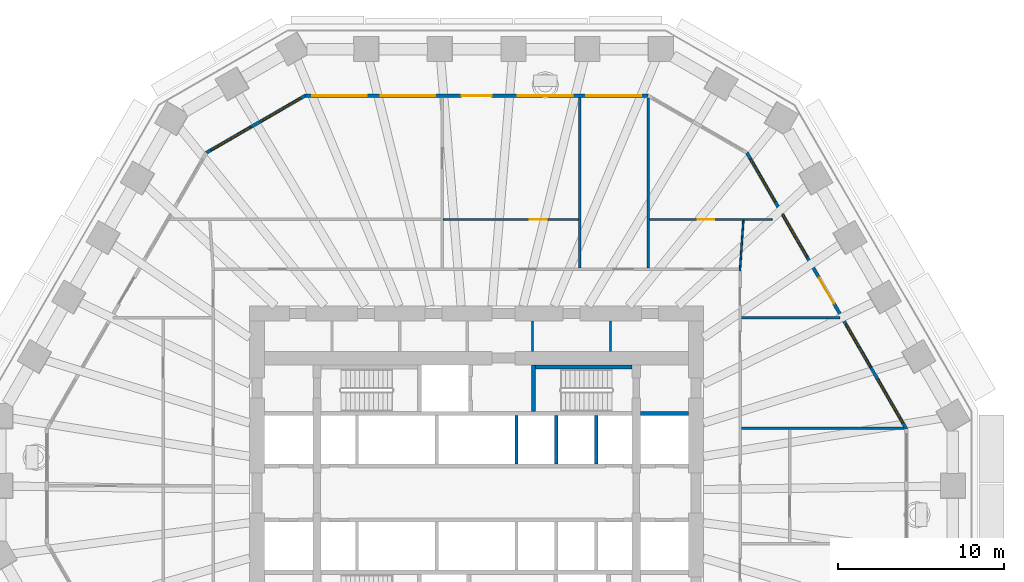
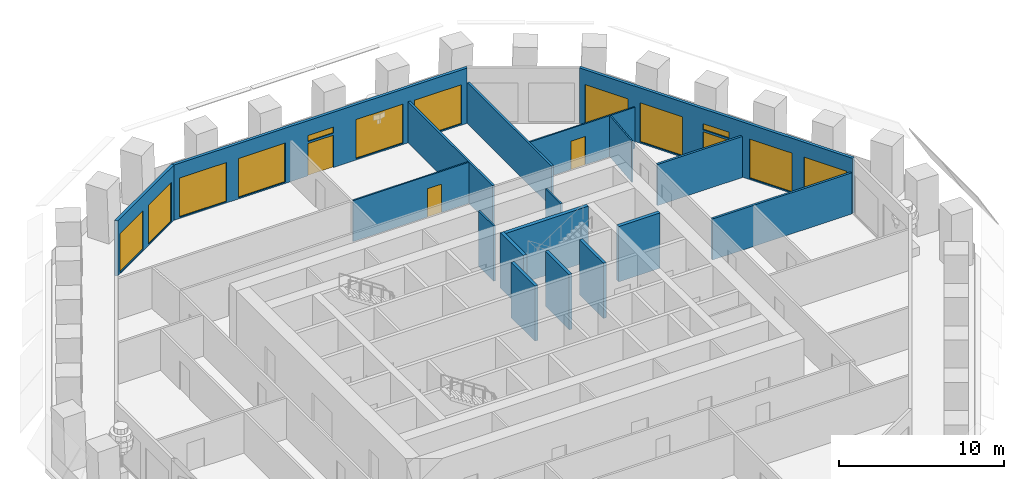
# One storey, part 8 of 13: 18 walls, 12 windows, 4 doors, 16 openings.
"""IFC4 building model written with IfcOpenShell, lengths in metres."""

from ifc_helpers import new_model, si_unit, direction, frame, frame_2d, origin, place, context, subcontext, project, spatial, polyline, rectangle, outline, extrude, material, layer, layer_set, type_object, element, fill, save


model = new_model("IFC4")

# Units and contexts
model_context = context("Model", 3, precision=1e-05, world=origin(), true_north=direction((0.0, 1.0)))
body_context = subcontext(model_context, "Body", "Model", "MODEL_VIEW")
ifc_project = project(units=[si_unit("LENGTHUNIT", "METRE"), si_unit("AREAUNIT", "SQUARE_METRE"), si_unit("VOLUMEUNIT", "CUBIC_METRE"), si_unit("PLANEANGLEUNIT", "RADIAN"), si_unit("MASSUNIT", "GRAM", prefix="KILO")], contexts=[model_context])

# Site, building, storey
site_placement = place(None, origin())
site = spatial("IfcSite", under=ifc_project, at=site_placement, CompositionType="ELEMENT")
building_placement = place(site_placement, origin())
building = spatial("IfcBuilding", under=site, at=building_placement, Name="Frailejon Research Tower", CompositionType="ELEMENT")
storey_placement = place(building_placement, frame((0.0, 0.0, 27.800048828125)))
storey = spatial("IfcBuildingStorey", under=building, at=storey_placement, Name="L06", CompositionType="ELEMENT", Elevation=27.800048828125)

# Walls
ifc_material_1 = material(Name="Plasterboard on steel studs", Category="steel")
ifc_layer_1 = layer(ifc_material_1, 0.125)
ifc_layer_set_1 = layer_set([ifc_layer_1], Name="Core partition 125")
wall_type_1 = type_object("IfcWallType", Name="Core partition 125", PredefinedType="PARTITIONING", material=ifc_layer_set_1)
for number, where, z_axis, x_axis, name in (
    (1, (3.362548828125, 8.5, 0.0), (0.0, 0.0, 1.0), (0.0, 1.0, 0.0), "Core partition"),
    (2, (8.05615234375, 8.5, 0.0), (0.0, 0.0, 1.0), (0.0, 1.0, 0.0), "Core partition"),
):
    element("IfcWall", number, at=place(storey_placement, frame(where, z_axis=z_axis, x_axis=x_axis)), inside=storey, type_object=wall_type_1, Name=name, PredefinedType="PARTITIONING", context=body_context, shape_type="SweptSolid", body=[
        extrude(rectangle(XDim=1.85009765625, YDim=0.125, at=frame_2d((0.925048828125, 0.0))), origin(), (0.0, 0.0, 1.0), 4.099853515625),
    ])
ifc_material_2 = material(Name="Gypsum board and masonry partition", Category="masonry")
ifc_layer_2 = layer(ifc_material_2, 0.14990234375)
ifc_layer_set_2 = layer_set([ifc_layer_2], Name="Laboratory partition, blockwork 150")
wall_type_2 = type_object("IfcWallType", Name="Laboratory partition, blockwork 150", PredefinedType="PARTITIONING", material=ifc_layer_set_2)
wall_1_placement = place(storey_placement, frame((15.925048828125, 3.87890625, 0.0), z_axis=(0.0, 0.0, 1.0), x_axis=(1.0, 0.0, 0.0)))
element("IfcWall", 3, at=wall_1_placement, inside=storey, type_object=wall_type_2, Name="T:IW:L06:006", PredefinedType="PARTITIONING", context=body_context, shape_type="SweptSolid", body=[
    extrude(rectangle(XDim=9.79638671875, YDim=0.14990234375, at=frame_2d((4.898193359375, 0.0))), origin(), (0.0, 0.0, 1.0), 3.050048828125),
])
wall_2_placement = place(storey_placement, frame((15.925048828125, 10.541748046875, 0.0), z_axis=(0.0, 0.0, 1.0), x_axis=(1.0, 0.0, 0.0)))
element("IfcWall", 4, at=wall_2_placement, inside=storey, type_object=wall_type_2, Name="T:IW:L06:009", PredefinedType="PARTITIONING", context=body_context, shape_type="SweptSolid", body=[
    extrude(rectangle(XDim=5.949462890625, YDim=0.14990234375, at=frame_2d((2.974609375, 0.0))), origin(), (0.0, 0.0, 1.0), 3.050048828125),
])
wall_3_placement = place(storey_placement, frame((10.33544921875, 13.52490234375, 0.0), z_axis=(0.0, 0.0, 1.0), x_axis=(0.0, 1.0, 0.0)))
element("IfcWall", 5, at=wall_3_placement, inside=storey, type_object=wall_type_2, Name="T:IW:L06:010", PredefinedType="PARTITIONING", context=body_context, shape_type="SweptSolid", body=[
    extrude(rectangle(XDim=10.244140625, YDim=0.14990234375, at=frame_2d((5.1220703125, 0.0))), origin(), (0.0, 0.0, 1.0), 3.050048828125),
])
wall_4_placement = place(storey_placement, frame((6.201171875, 13.52490234375, 0.0), z_axis=(0.0, 0.0, 1.0), x_axis=(0.0, 1.0, 0.0)))
element("IfcWall", 6, at=wall_4_placement, inside=storey, type_object=wall_type_2, Name="T:IW:L06:011", PredefinedType="PARTITIONING", context=body_context, shape_type="SweptSolid", body=[
    extrude(rectangle(XDim=10.275146484375, YDim=0.14990234375, at=frame_2d((5.1376953125, 0.0))), origin(), (0.0, 0.0, 1.0), 3.050048828125),
])
ifc_material_3 = material(Name="Gypsum board and masonry partition", Category="masonry")
ifc_layer_3 = layer(ifc_material_3, 0.10009765625)
ifc_layer_set_3 = layer_set([ifc_layer_3], Name="Partition, gypsum on steel studs 100")
wall_type_3 = type_object("IfcWallType", Name="Partition, gypsum on steel studs 100", PredefinedType="PARTITIONING", material=ifc_layer_set_3)
wall_5_placement = place(storey_placement, frame((15.844970703125, 13.375244140625, 0.0), z_axis=(0.0, 0.0, 1.0), x_axis=(0.068282549435, 0.997666022997, 0.0)))
element("IfcWall", 7, at=wall_5_placement, inside=storey, type_object=wall_type_3, Name="T:IW:L06:025", PredefinedType="PARTITIONING", context=body_context, shape_type="SweptSolid", body=[
    extrude(rectangle(XDim=3.031982421875, YDim=0.10009765625, at=frame_2d((1.51611328125, 0.0))), origin(), (0.0, 0.0, 1.0), 3.050048828125),
])

# Wall, opening, door
wall_6_placement = place(storey_placement, frame((-1.9921875, 16.449951171875, 0.0), z_axis=(0.0, 0.0, 1.0), x_axis=(1.0, 0.0, 0.0)))
wall_6 = element("IfcWall", 8, at=wall_6_placement, inside=storey, type_object=wall_type_3, Name="T:IW:L06:026", PredefinedType="PARTITIONING", context=body_context, shape_type="SweptSolid", body=[
    extrude(rectangle(XDim=8.118408203125, YDim=0.10009765625, at=frame_2d((4.05908203125, 0.0))), origin(), (0.0, 0.0, 1.0), 3.050048828125),
])
opening_1_placement = place(wall_6_placement, frame((5.201171875, 0.0, 0.0)))
opening_1 = element("IfcOpeningElement", 9, at=opening_1_placement, cuts=wall_6, Name="Opening D1301", PredefinedType="OPENING", context=body_context, shape_type="SweptSolid", body=[
    extrude(rectangle(XDim=1.0, YDim=2.10009765625, at=frame_2d((0.5, 1.050048828125))), frame((0.0, 0.06005859375, 0.0), z_axis=(0.0, -1.0, 0.0), x_axis=(1.0, 0.0, 0.0)), (0.0, 0.0, 1.0), 0.1201171875),
])
ifc_material_4 = material(Name="Timber door leaf", Category="wood")
door_type_1 = type_object("IfcDoorType", Name="Door single leaf, timber, steel frame 1000", OperationType="NOTDEFINED", PredefinedType="DOOR", material=ifc_material_4)
door_1_placement = place(opening_1_placement, origin())
door_1 = element("IfcDoor", 10, at=door_1_placement, inside=storey, type_object=door_type_1, Name="D1301", OperationType="SINGLE_SWING_LEFT", OverallHeight=2.10009765625, OverallWidth=1.0, PredefinedType="DOOR", context=body_context, shape_type="SweptSolid", body=[
    extrude(rectangle(XDim=1.0, YDim=2.10009765625, at=frame_2d((0.5, 1.050048828125))), frame((0.0, 0.02490234375, 0.0), z_axis=(0.0, -1.0, 0.0), x_axis=(1.0, 0.0, 0.0)), (0.0, 0.0, 1.0), 0.050048828125),
])
fill(opening_1, door_1)

wall_7_placement = place(storey_placement, frame((10.410400390625, 16.449951171875, 0.0), z_axis=(0.0, 0.0, 1.0), x_axis=(1.0, 0.0, 0.0)))
wall_7 = element("IfcWall", 11, at=wall_7_placement, inside=storey, type_object=wall_type_3, Name="T:IW:L06:027", PredefinedType="PARTITIONING", context=body_context, shape_type="SweptSolid", body=[
    extrude(rectangle(XDim=7.3642578125, YDim=0.10009765625, at=frame_2d((3.68212890625, 0.0))), origin(), (0.0, 0.0, 1.0), 3.050048828125),
])
opening_2_placement = place(wall_7_placement, frame((2.88818359375, 0.0, 0.0)))
opening_2 = element("IfcOpeningElement", 12, at=opening_2_placement, cuts=wall_7, Name="Opening D1298", PredefinedType="OPENING", context=body_context, shape_type="SweptSolid", body=[
    extrude(rectangle(XDim=1.0, YDim=2.10009765625, at=frame_2d((0.5, 1.050048828125))), frame((0.0, 0.06005859375, 0.0), z_axis=(0.0, -1.0, 0.0), x_axis=(1.0, 0.0, 0.0)), (0.0, 0.0, 1.0), 0.1201171875),
])
door_2_placement = place(opening_2_placement, origin())
door_2 = element("IfcDoor", 13, at=door_2_placement, inside=storey, type_object=door_type_1, Name="D1298", OperationType="SINGLE_SWING_RIGHT", OverallHeight=2.10009765625, OverallWidth=1.0, PredefinedType="DOOR", context=body_context, shape_type="SweptSolid", body=[
    extrude(rectangle(XDim=1.0, YDim=2.10009765625, at=frame_2d((0.5, 1.050048828125))), frame((0.0, 0.02490234375, 0.0), z_axis=(0.0, -1.0, 0.0), x_axis=(1.0, 0.0, 0.0)), (0.0, 0.0, 1.0), 0.050048828125),
])
fill(opening_2, door_2)

# Walls
ifc_material_5 = material(Name="Concrete C70/85", Category="concrete")
ifc_layer_4 = layer(ifc_material_5, 0.199951171875)
ifc_layer_set_4 = layer_set([ifc_layer_4], Name="Shaft wall 200 C70/85")
wall_type_4 = type_object("IfcWallType", Name="Shaft wall 200 C70/85", PredefinedType="SOLIDWALL", material=ifc_layer_set_4)
for number, where, z_axis, x_axis, name in (
    (14, (2.39990234375, 1.75, 0.0), (0.0, 0.0, 1.0), (0.0, 1.0, 0.0), "Shaft wall"),
    (15, (4.800048828125, 1.75, 0.0), (0.0, 0.0, 1.0), (0.0, 1.0, 0.0), "Shaft wall"),
    (16, (7.199951171875, 1.75, 0.0), (0.0, 0.0, 1.0), (0.0, 1.0, 0.0), "Shaft wall"),
):
    element("IfcWall", number, at=place(storey_placement, frame(where, z_axis=z_axis, x_axis=x_axis)), inside=storey, type_object=wall_type_4, Name=name, PredefinedType="SOLIDWALL", context=body_context, shape_type="SweptSolid", body=[
        extrude(rectangle(XDim=2.89990234375, YDim=0.199951171875, at=frame_2d((1.449951171875, 0.0))), origin(), (0.0, 0.0, 1.0), 4.099853515625),
    ])
ifc_material_6 = material(Name="Concrete C70/85", Category="concrete")
ifc_layer_5 = layer(ifc_material_6, 0.25)
ifc_layer_set_5 = layer_set([ifc_layer_5], Name="Shaft wall 250 C70/85")
wall_type_5 = type_object("IfcWallType", Name="Shaft wall 250 C70/85", PredefinedType="SOLIDWALL", material=ifc_layer_set_5)
wall_8_placement = place(storey_placement, frame((9.85009765625, 4.77490234375, 0.0), z_axis=(0.0, 0.0, 1.0), x_axis=(1.0, 0.0, 0.0)))
element("IfcWall", 17, at=wall_8_placement, inside=storey, type_object=wall_type_5, Name="Shaft wall", PredefinedType="SOLIDWALL", context=body_context, shape_type="SweptSolid", body=[
    extrude(rectangle(XDim=2.89990234375, YDim=0.25, at=frame_2d((1.449951171875, 0.0))), origin(), (0.0, 0.0, 1.0), 4.099853515625),
])
wall_9_placement = place(storey_placement, frame((3.550048828125, 7.574951171875, 0.0), z_axis=(0.0, 0.0, 1.0), x_axis=(1.0, 0.0, 0.0)))
element("IfcWall", 18, at=wall_9_placement, inside=storey, type_object=wall_type_5, Name="Shaft wall", PredefinedType="SOLIDWALL", context=body_context, shape_type="SweptSolid", body=[
    extrude(rectangle(XDim=5.800048828125, YDim=0.25, at=frame_2d((2.89990234375, 0.0))), origin(), (0.0, 0.0, 1.0), 4.099853515625),
])
wall_10_placement = place(storey_placement, frame((3.425048828125, 4.89990234375, 0.0), z_axis=(0.0, 0.0, 1.0), x_axis=(0.0, 1.0, 0.0)))
element("IfcWall", 19, at=wall_10_placement, inside=storey, type_object=wall_type_5, Name="Shaft wall", PredefinedType="SOLIDWALL", context=body_context, shape_type="SweptSolid", body=[
    extrude(rectangle(XDim=2.800048828125, YDim=0.25, at=frame_2d((1.39990234375, 0.0))), origin(), (0.0, 0.0, 1.0), 4.099853515625),
])

# Wall, openings, door, windows
ifc_material_7 = material(Name="Concrete C40/50 precast window wall panel", Category="concrete")
ifc_layer_6 = layer(ifc_material_7, 0.199951171875)
ifc_layer_set_6 = layer_set([ifc_layer_6], Name="Window wall 200")
wall_type_6 = type_object("IfcWallType", Name="Window wall 200", PredefinedType="SOLIDWALL", material=ifc_layer_set_6)
wall_11_placement = place(storey_placement, frame((25.852294921875, 3.85205078125, 0.0), z_axis=(0.0, 0.0, 1.0), x_axis=(-0.499998279088, 0.866026397351, 0.0)))
wall_11 = element("IfcWall", 20, at=wall_11_placement, inside=storey, type_object=wall_type_6, Name="Exterior wall L06", PredefinedType="SOLIDWALL", context=body_context, shape_type="SweptSolid", body=[
    extrude(outline(polyline([(-0.02685546875, -0.10009765625), (0.9853515625, -0.10009765625), (1.997802734375, -0.10009765625), (3.010009765625, -0.10009765625), (4.0224609375, -0.10009765625), (5.03466796875, -0.10009765625), (6.047119140625, -0.10009765625), (7.059326171875, -0.10009765625), (8.071533203125, -0.10009765625), (9.083984375, -0.10009765625), (10.09619140625, -0.10009765625), (11.108642578125, -0.10009765625), (12.120849609375, -0.10009765625), (13.133056640625, -0.10009765625), (14.1455078125, -0.10009765625), (15.15771484375, -0.10009765625), (16.170166015625, -0.10009765625), (17.182373046875, -0.10009765625), (18.19482421875, -0.10009765625), (19.20703125, -0.10009765625), (19.1533203125, 0.10009765625), (18.146728515625, 0.10009765625), (17.139892578125, 0.10009765625), (16.13330078125, 0.10009765625), (15.126708984375, 0.10009765625), (14.1201171875, 0.10009765625), (13.11328125, 0.10009765625), (12.106689453125, 0.10009765625), (11.10009765625, 0.10009765625), (10.093505859375, 0.10009765625), (9.086669921875, 0.10009765625), (8.080078125, 0.10009765625), (7.073486328125, 0.10009765625), (6.06689453125, 0.10009765625), (5.06005859375, 0.10009765625), (4.053466796875, 0.10009765625), (3.046875, 0.10009765625), (2.040283203125, 0.10009765625), (1.033447265625, 0.10009765625), (0.02685546875, 0.10009765625), (-0.02685546875, -0.10009765625)])), origin(), (0.0, 0.0, 1.0), 4.099853515625),
])
opening_3_placement = place(wall_11_placement, frame((0.41796875, 0.0, 0.10009765625)))
opening_3 = element("IfcOpeningElement", 21, at=opening_3_placement, cuts=wall_11, Name="Opening W4", PredefinedType="OPENING", context=body_context, shape_type="SweptSolid", body=[
    extrude(rectangle(XDim=3.0, YDim=2.89990234375, at=frame_2d((1.5, 1.449951171875))), frame((0.0, 0.10986328125, 0.0), z_axis=(0.0, -1.0, 0.0), x_axis=(1.0, 0.0, 0.0)), (0.0, 0.0, 1.0), 0.219970703125),
])
opening_4_placement = place(wall_11_placement, frame((4.254150390625, 0.0, 0.10009765625)))
opening_4 = element("IfcOpeningElement", 22, at=opening_4_placement, cuts=wall_11, Name="Opening W4", PredefinedType="OPENING", context=body_context, shape_type="SweptSolid", body=[
    extrude(rectangle(XDim=3.0, YDim=2.89990234375, at=frame_2d((1.5, 1.449951171875))), frame((0.0, 0.10986328125, 0.0), z_axis=(0.0, -1.0, 0.0), x_axis=(1.0, 0.0, 0.0)), (0.0, 0.0, 1.0), 0.219970703125),
])
opening_5_placement = place(wall_11_placement, frame((8.690185546875, 0.0, 0.0)))
opening_5 = element("IfcOpeningElement", 23, at=opening_5_placement, cuts=wall_11, Name="Opening LG06-1", PredefinedType="OPENING", context=body_context, shape_type="SweptSolid", body=[
    extrude(rectangle(XDim=1.800048828125, YDim=2.39990234375, at=frame_2d((0.89990234375, 1.199951171875))), frame((0.0, 0.10986328125, 0.0), z_axis=(0.0, -1.0, 0.0), x_axis=(1.0, 0.0, 0.0)), (0.0, 0.0, 1.0), 0.219970703125),
])
opening_6_placement = place(wall_11_placement, frame((8.690185546875, 0.0, 2.550048828125)))
opening_6 = element("IfcOpeningElement", 24, at=opening_6_placement, cuts=wall_11, Name="Opening W1", PredefinedType="OPENING", context=body_context, shape_type="SweptSolid", body=[
    extrude(rectangle(XDim=1.800048828125, YDim=0.449951171875, at=frame_2d((0.89990234375, 0.22509765625))), frame((0.0, 0.10986328125, 0.0), z_axis=(0.0, -1.0, 0.0), x_axis=(1.0, 0.0, 0.0)), (0.0, 0.0, 1.0), 0.219970703125),
])
opening_7_placement = place(wall_11_placement, frame((11.92626953125, 0.0, 0.10009765625)))
opening_7 = element("IfcOpeningElement", 25, at=opening_7_placement, cuts=wall_11, Name="Opening W4", PredefinedType="OPENING", context=body_context, shape_type="SweptSolid", body=[
    extrude(rectangle(XDim=3.0, YDim=2.89990234375, at=frame_2d((1.5, 1.449951171875))), frame((0.0, 0.10986328125, 0.0), z_axis=(0.0, -1.0, 0.0), x_axis=(1.0, 0.0, 0.0)), (0.0, 0.0, 1.0), 0.219970703125),
])
opening_8_placement = place(wall_11_placement, frame((15.76220703125, 0.0, 0.10009765625)))
opening_8 = element("IfcOpeningElement", 26, at=opening_8_placement, cuts=wall_11, Name="Opening W4", PredefinedType="OPENING", context=body_context, shape_type="SweptSolid", body=[
    extrude(rectangle(XDim=3.0, YDim=2.89990234375, at=frame_2d((1.5, 1.449951171875))), frame((0.0, 0.10986328125, 0.0), z_axis=(0.0, -1.0, 0.0), x_axis=(1.0, 0.0, 0.0)), (0.0, 0.0, 1.0), 0.219970703125),
])
ifc_material_8 = material(Name="Aluminium framed glazed door leaf", Category="aluminium")
door_type_2 = type_object("IfcDoorType", Name="Loggia door 1800x2400", OperationType="DOUBLE_DOOR_SINGLE_SWING", PredefinedType="DOOR", material=ifc_material_8)
door_3_placement = place(opening_5_placement, origin())
door_3 = element("IfcDoor", 27, at=door_3_placement, inside=storey, type_object=door_type_2, Name="Door LG06-1", OperationType="DOUBLE_DOOR_SINGLE_SWING", OverallHeight=2.39990234375, OverallWidth=1.800048828125, PredefinedType="DOOR", context=body_context, shape_type="SweptSolid", body=[
    extrude(rectangle(XDim=1.800048828125, YDim=2.39990234375, at=frame_2d((0.89990234375, 1.199951171875))), frame((0.0, 0.02490234375, 0.0), z_axis=(0.0, -1.0, 0.0), x_axis=(1.0, 0.0, 0.0)), (0.0, 0.0, 1.0), 0.050048828125),
])
fill(opening_5, door_3)
ifc_material_9 = material(Name="Aluminium framed double glazing", Category="aluminium")
window_type_1 = type_object("IfcWindowType", Name="Window 1800x450", PartitioningType="SINGLE_PANEL", PredefinedType="WINDOW", material=ifc_material_9)
window_1_placement = place(opening_6_placement, origin())
window_1 = element("IfcWindow", 28, at=window_1_placement, inside=storey, type_object=window_type_1, Name="Window L06", OverallHeight=0.449951171875, OverallWidth=1.800048828125, PartitioningType="SINGLE_PANEL", PredefinedType="WINDOW", context=body_context, shape_type="SweptSolid", body=[
    extrude(rectangle(XDim=1.800048828125, YDim=0.449951171875, at=frame_2d((0.89990234375, 0.22509765625))), frame((0.0, 0.030029296875, 0.0), z_axis=(0.0, -1.0, 0.0), x_axis=(1.0, 0.0, 0.0)), (0.0, 0.0, 1.0), 0.06005859375),
])
fill(opening_6, window_1)
ifc_material_10 = material(Name="Aluminium framed double glazing", Category="aluminium")
window_type_2 = type_object("IfcWindowType", Name="Window 3000x2900", PartitioningType="SINGLE_PANEL", PredefinedType="WINDOW", material=ifc_material_10)
window_2_placement = place(opening_3_placement, origin())
window_2 = element("IfcWindow", 29, at=window_2_placement, inside=storey, type_object=window_type_2, Name="Window L06", OverallHeight=2.89990234375, OverallWidth=3.0, PartitioningType="SINGLE_PANEL", PredefinedType="WINDOW", context=body_context, shape_type="SweptSolid", body=[
    extrude(rectangle(XDim=3.0, YDim=2.89990234375, at=frame_2d((1.5, 1.449951171875))), frame((0.0, 0.030029296875, 0.0), z_axis=(0.0, -1.0, 0.0), x_axis=(1.0, 0.0, 0.0)), (0.0, 0.0, 1.0), 0.06005859375),
])
fill(opening_3, window_2)
window_3_placement = place(opening_4_placement, origin())
window_3 = element("IfcWindow", 30, at=window_3_placement, inside=storey, type_object=window_type_2, Name="Window L06", OverallHeight=2.89990234375, OverallWidth=3.0, PartitioningType="SINGLE_PANEL", PredefinedType="WINDOW", context=body_context, shape_type="SweptSolid", body=[
    extrude(rectangle(XDim=3.0, YDim=2.89990234375, at=frame_2d((1.5, 1.449951171875))), frame((0.0, 0.030029296875, 0.0), z_axis=(0.0, -1.0, 0.0), x_axis=(1.0, 0.0, 0.0)), (0.0, 0.0, 1.0), 0.06005859375),
])
fill(opening_4, window_3)
window_4_placement = place(opening_7_placement, origin())
window_4 = element("IfcWindow", 31, at=window_4_placement, inside=storey, type_object=window_type_2, Name="Window L06", OverallHeight=2.89990234375, OverallWidth=3.0, PartitioningType="SINGLE_PANEL", PredefinedType="WINDOW", context=body_context, shape_type="SweptSolid", body=[
    extrude(rectangle(XDim=3.0, YDim=2.89990234375, at=frame_2d((1.5, 1.449951171875))), frame((0.0, 0.030029296875, 0.0), z_axis=(0.0, -1.0, 0.0), x_axis=(1.0, 0.0, 0.0)), (0.0, 0.0, 1.0), 0.06005859375),
])
fill(opening_7, window_4)
window_5_placement = place(opening_8_placement, origin())
window_5 = element("IfcWindow", 32, at=window_5_placement, inside=storey, type_object=window_type_2, Name="Window L06", OverallHeight=2.89990234375, OverallWidth=3.0, PartitioningType="SINGLE_PANEL", PredefinedType="WINDOW", context=body_context, shape_type="SweptSolid", body=[
    extrude(rectangle(XDim=3.0, YDim=2.89990234375, at=frame_2d((1.5, 1.449951171875))), frame((0.0, 0.030029296875, 0.0), z_axis=(0.0, -1.0, 0.0), x_axis=(1.0, 0.0, 0.0)), (0.0, 0.0, 1.0), 0.06005859375),
])
fill(opening_8, window_5)

wall_12_placement = place(storey_placement, frame((10.30859375, 23.89990234375, 0.0), z_axis=(0.0, 0.0, 1.0), x_axis=(-1.0, 0.0, 0.0)))
wall_12 = element("IfcWall", 33, at=wall_12_placement, inside=storey, type_object=wall_type_6, Name="Exterior wall L06", PredefinedType="SOLIDWALL", context=body_context, shape_type="SweptSolid", body=[
    extrude(outline(polyline([(-0.02685546875, -0.10009765625), (1.006591796875, -0.10009765625), (2.040283203125, -0.10009765625), (3.07373046875, -0.10009765625), (4.107421875, -0.10009765625), (5.140869140625, -0.10009765625), (6.17431640625, -0.10009765625), (7.2080078125, -0.10009765625), (8.241455078125, -0.10009765625), (9.275146484375, -0.10009765625), (10.30859375, -0.10009765625), (11.342041015625, -0.10009765625), (12.375732421875, -0.10009765625), (13.4091796875, -0.10009765625), (14.44287109375, -0.10009765625), (15.476318359375, -0.10009765625), (16.509765625, -0.10009765625), (17.54345703125, -0.10009765625), (18.576904296875, -0.10009765625), (19.610595703125, -0.10009765625), (20.64404296875, -0.10009765625), (20.59033203125, 0.10009765625), (19.562255859375, 0.10009765625), (18.533935546875, 0.10009765625), (17.505859375, 0.10009765625), (16.4775390625, 0.10009765625), (15.449462890625, 0.10009765625), (14.42138671875, 0.10009765625), (13.39306640625, 0.10009765625), (12.364990234375, 0.10009765625), (11.336669921875, 0.10009765625), (10.30859375, 0.10009765625), (9.280517578125, 0.10009765625), (8.252197265625, 0.10009765625), (7.22412109375, 0.10009765625), (6.19580078125, 0.10009765625), (5.167724609375, 0.10009765625), (4.1396484375, 0.10009765625), (3.111328125, 0.10009765625), (2.083251953125, 0.10009765625), (1.054931640625, 0.10009765625), (0.02685546875, 0.10009765625), (-0.02685546875, -0.10009765625)])), origin(), (0.0, 0.0, 1.0), 4.099853515625),
])
opening_9_placement = place(wall_12_placement, frame((0.41162109375, 0.0, 0.10009765625)))
opening_9 = element("IfcOpeningElement", 34, at=opening_9_placement, cuts=wall_12, Name="Opening W5", PredefinedType="OPENING", context=body_context, shape_type="SweptSolid", body=[
    extrude(rectangle(XDim=3.300048828125, YDim=2.89990234375, at=frame_2d((1.64990234375, 1.449951171875))), frame((0.0, 0.10986328125, 0.0), z_axis=(0.0, -1.0, 0.0), x_axis=(1.0, 0.0, 0.0)), (0.0, 0.0, 1.0), 0.219970703125),
])
opening_10_placement = place(wall_12_placement, frame((4.53515625, 0.0, 0.10009765625)))
opening_10 = element("IfcOpeningElement", 35, at=opening_10_placement, cuts=wall_12, Name="Opening W5", PredefinedType="OPENING", context=body_context, shape_type="SweptSolid", body=[
    extrude(rectangle(XDim=3.300048828125, YDim=2.89990234375, at=frame_2d((1.64990234375, 1.449951171875))), frame((0.0, 0.10986328125, 0.0), z_axis=(0.0, -1.0, 0.0), x_axis=(1.0, 0.0, 0.0)), (0.0, 0.0, 1.0), 0.219970703125),
])
opening_11_placement = place(wall_12_placement, frame((9.40869140625, 0.0, 0.0)))
opening_11 = element("IfcOpeningElement", 36, at=opening_11_placement, cuts=wall_12, Name="Opening LG06-2", PredefinedType="OPENING", context=body_context, shape_type="SweptSolid", body=[
    extrude(rectangle(XDim=1.800048828125, YDim=2.39990234375, at=frame_2d((0.89990234375, 1.199951171875))), frame((0.0, 0.10986328125, 0.0), z_axis=(0.0, -1.0, 0.0), x_axis=(1.0, 0.0, 0.0)), (0.0, 0.0, 1.0), 0.219970703125),
])
opening_12_placement = place(wall_12_placement, frame((9.40869140625, 0.0, 2.550048828125)))
opening_12 = element("IfcOpeningElement", 37, at=opening_12_placement, cuts=wall_12, Name="Opening W1", PredefinedType="OPENING", context=body_context, shape_type="SweptSolid", body=[
    extrude(rectangle(XDim=1.800048828125, YDim=0.449951171875, at=frame_2d((0.89990234375, 0.22509765625))), frame((0.0, 0.10986328125, 0.0), z_axis=(0.0, -1.0, 0.0), x_axis=(1.0, 0.0, 0.0)), (0.0, 0.0, 1.0), 0.219970703125),
])
opening_13_placement = place(wall_12_placement, frame((12.781982421875, 0.0, 0.10009765625)))
opening_13 = element("IfcOpeningElement", 38, at=opening_13_placement, cuts=wall_12, Name="Opening W5", PredefinedType="OPENING", context=body_context, shape_type="SweptSolid", body=[
    extrude(rectangle(XDim=3.300048828125, YDim=2.89990234375, at=frame_2d((1.64990234375, 1.449951171875))), frame((0.0, 0.10986328125, 0.0), z_axis=(0.0, -1.0, 0.0), x_axis=(1.0, 0.0, 0.0)), (0.0, 0.0, 1.0), 0.219970703125),
])
opening_14_placement = place(wall_12_placement, frame((16.905517578125, 0.0, 0.10009765625)))
opening_14 = element("IfcOpeningElement", 39, at=opening_14_placement, cuts=wall_12, Name="Opening W5", PredefinedType="OPENING", context=body_context, shape_type="SweptSolid", body=[
    extrude(rectangle(XDim=3.300048828125, YDim=2.89990234375, at=frame_2d((1.64990234375, 1.449951171875))), frame((0.0, 0.10986328125, 0.0), z_axis=(0.0, -1.0, 0.0), x_axis=(1.0, 0.0, 0.0)), (0.0, 0.0, 1.0), 0.219970703125),
])
door_4_placement = place(opening_11_placement, origin())
door_4 = element("IfcDoor", 40, at=door_4_placement, inside=storey, type_object=door_type_2, Name="Door LG06-2", OperationType="DOUBLE_DOOR_SINGLE_SWING", OverallHeight=2.39990234375, OverallWidth=1.800048828125, PredefinedType="DOOR", context=body_context, shape_type="SweptSolid", body=[
    extrude(rectangle(XDim=1.800048828125, YDim=2.39990234375, at=frame_2d((0.89990234375, 1.199951171875))), frame((0.0, 0.02490234375, 0.0), z_axis=(0.0, -1.0, 0.0), x_axis=(1.0, 0.0, 0.0)), (0.0, 0.0, 1.0), 0.050048828125),
])
fill(opening_11, door_4)
window_6_placement = place(opening_12_placement, origin())
window_6 = element("IfcWindow", 41, at=window_6_placement, inside=storey, type_object=window_type_1, Name="Window L06", OverallHeight=0.449951171875, OverallWidth=1.800048828125, PartitioningType="SINGLE_PANEL", PredefinedType="WINDOW", context=body_context, shape_type="SweptSolid", body=[
    extrude(rectangle(XDim=1.800048828125, YDim=0.449951171875, at=frame_2d((0.89990234375, 0.22509765625))), frame((0.0, 0.030029296875, 0.0), z_axis=(0.0, -1.0, 0.0), x_axis=(1.0, 0.0, 0.0)), (0.0, 0.0, 1.0), 0.06005859375),
])
fill(opening_12, window_6)
ifc_material_11 = material(Name="Aluminium framed double glazing", Category="aluminium")
window_type_3 = type_object("IfcWindowType", Name="Window 3300x2900", PartitioningType="SINGLE_PANEL", PredefinedType="WINDOW", material=ifc_material_11)
window_7_placement = place(opening_9_placement, origin())
window_7 = element("IfcWindow", 42, at=window_7_placement, inside=storey, type_object=window_type_3, Name="Window L06", OverallHeight=2.89990234375, OverallWidth=3.300048828125, PartitioningType="SINGLE_PANEL", PredefinedType="WINDOW", context=body_context, shape_type="SweptSolid", body=[
    extrude(rectangle(XDim=3.300048828125, YDim=2.89990234375, at=frame_2d((1.64990234375, 1.449951171875))), frame((0.0, 0.030029296875, 0.0), z_axis=(0.0, -1.0, 0.0), x_axis=(1.0, 0.0, 0.0)), (0.0, 0.0, 1.0), 0.06005859375),
])
fill(opening_9, window_7)
window_8_placement = place(opening_10_placement, origin())
window_8 = element("IfcWindow", 43, at=window_8_placement, inside=storey, type_object=window_type_3, Name="Window L06", OverallHeight=2.89990234375, OverallWidth=3.300048828125, PartitioningType="SINGLE_PANEL", PredefinedType="WINDOW", context=body_context, shape_type="SweptSolid", body=[
    extrude(rectangle(XDim=3.300048828125, YDim=2.89990234375, at=frame_2d((1.64990234375, 1.449951171875))), frame((0.0, 0.030029296875, 0.0), z_axis=(0.0, -1.0, 0.0), x_axis=(1.0, 0.0, 0.0)), (0.0, 0.0, 1.0), 0.06005859375),
])
fill(opening_10, window_8)
window_9_placement = place(opening_13_placement, origin())
window_9 = element("IfcWindow", 44, at=window_9_placement, inside=storey, type_object=window_type_3, Name="Window L06", OverallHeight=2.89990234375, OverallWidth=3.300048828125, PartitioningType="SINGLE_PANEL", PredefinedType="WINDOW", context=body_context, shape_type="SweptSolid", body=[
    extrude(rectangle(XDim=3.300048828125, YDim=2.89990234375, at=frame_2d((1.64990234375, 1.449951171875))), frame((0.0, 0.030029296875, 0.0), z_axis=(0.0, -1.0, 0.0), x_axis=(1.0, 0.0, 0.0)), (0.0, 0.0, 1.0), 0.06005859375),
])
fill(opening_13, window_9)
window_10_placement = place(opening_14_placement, origin())
window_10 = element("IfcWindow", 45, at=window_10_placement, inside=storey, type_object=window_type_3, Name="Window L06", OverallHeight=2.89990234375, OverallWidth=3.300048828125, PartitioningType="SINGLE_PANEL", PredefinedType="WINDOW", context=body_context, shape_type="SweptSolid", body=[
    extrude(rectangle(XDim=3.300048828125, YDim=2.89990234375, at=frame_2d((1.64990234375, 1.449951171875))), frame((0.0, 0.030029296875, 0.0), z_axis=(0.0, -1.0, 0.0), x_axis=(1.0, 0.0, 0.0)), (0.0, 0.0, 1.0), 0.06005859375),
])
fill(opening_14, window_10)

# Wall, openings, windows
wall_13_placement = place(storey_placement, frame((-10.30859375, 23.89990234375, 0.0), z_axis=(0.0, 0.0, 1.0), x_axis=(-0.866029458321, -0.49999297727, 0.0)))
wall_13 = element("IfcWall", 46, at=wall_13_placement, inside=storey, type_object=wall_type_6, Name="Exterior wall L06", PredefinedType="SOLIDWALL", context=body_context, shape_type="SweptSolid", body=[
    extrude(outline(polyline([(-0.02685546875, -0.10009765625), (1.1279296875, -0.10009765625), (2.282470703125, -0.10009765625), (3.437255859375, -0.10009765625), (4.592041015625, -0.10009765625), (5.74658203125, -0.10009765625), (6.9013671875, -0.10009765625), (6.84765625, 0.10009765625), (5.7109375, 0.10009765625), (4.573974609375, 0.10009765625), (3.437255859375, 0.10009765625), (2.300537109375, 0.10009765625), (1.16357421875, 0.10009765625), (0.02685546875, 0.10009765625), (-0.02685546875, -0.10009765625)])), origin(), (0.0, 0.0, 1.0), 4.099853515625),
])
opening_15_placement = place(wall_13_placement, frame((0.318603515625, 0.0, 0.10009765625)))
opening_15 = element("IfcOpeningElement", 47, at=opening_15_placement, cuts=wall_13, Name="Opening W3", PredefinedType="OPENING", context=body_context, shape_type="SweptSolid", body=[
    extrude(rectangle(XDim=2.800048828125, YDim=2.89990234375, at=frame_2d((1.39990234375, 1.449951171875))), frame((0.0, 0.10986328125, 0.0), z_axis=(0.0, -1.0, 0.0), x_axis=(1.0, 0.0, 0.0)), (0.0, 0.0, 1.0), 0.219970703125),
])
opening_16_placement = place(wall_13_placement, frame((3.756103515625, 0.0, 0.10009765625)))
opening_16 = element("IfcOpeningElement", 48, at=opening_16_placement, cuts=wall_13, Name="Opening W3", PredefinedType="OPENING", context=body_context, shape_type="SweptSolid", body=[
    extrude(rectangle(XDim=2.800048828125, YDim=2.89990234375, at=frame_2d((1.39990234375, 1.449951171875))), frame((0.0, 0.10986328125, 0.0), z_axis=(0.0, -1.0, 0.0), x_axis=(1.0, 0.0, 0.0)), (0.0, 0.0, 1.0), 0.219970703125),
])
ifc_material_12 = material(Name="Aluminium framed double glazing", Category="aluminium")
window_type_4 = type_object("IfcWindowType", Name="Window 2800x2900", PartitioningType="SINGLE_PANEL", PredefinedType="WINDOW", material=ifc_material_12)
window_11_placement = place(opening_15_placement, origin())
window_11 = element("IfcWindow", 49, at=window_11_placement, inside=storey, type_object=window_type_4, Name="Window L06", OverallHeight=2.89990234375, OverallWidth=2.800048828125, PartitioningType="SINGLE_PANEL", PredefinedType="WINDOW", context=body_context, shape_type="SweptSolid", body=[
    extrude(rectangle(XDim=2.800048828125, YDim=2.89990234375, at=frame_2d((1.39990234375, 1.449951171875))), frame((0.0, 0.030029296875, 0.0), z_axis=(0.0, -1.0, 0.0), x_axis=(1.0, 0.0, 0.0)), (0.0, 0.0, 1.0), 0.06005859375),
])
fill(opening_15, window_11)
window_12_placement = place(opening_16_placement, origin())
window_12 = element("IfcWindow", 50, at=window_12_placement, inside=storey, type_object=window_type_4, Name="Window L06", OverallHeight=2.89990234375, OverallWidth=2.800048828125, PartitioningType="SINGLE_PANEL", PredefinedType="WINDOW", context=body_context, shape_type="SweptSolid", body=[
    extrude(rectangle(XDim=2.800048828125, YDim=2.89990234375, at=frame_2d((1.39990234375, 1.449951171875))), frame((0.0, 0.030029296875, 0.0), z_axis=(0.0, -1.0, 0.0), x_axis=(1.0, 0.0, 0.0)), (0.0, 0.0, 1.0), 0.06005859375),
])
fill(opening_16, window_12)

save(model, "model.ifc")
